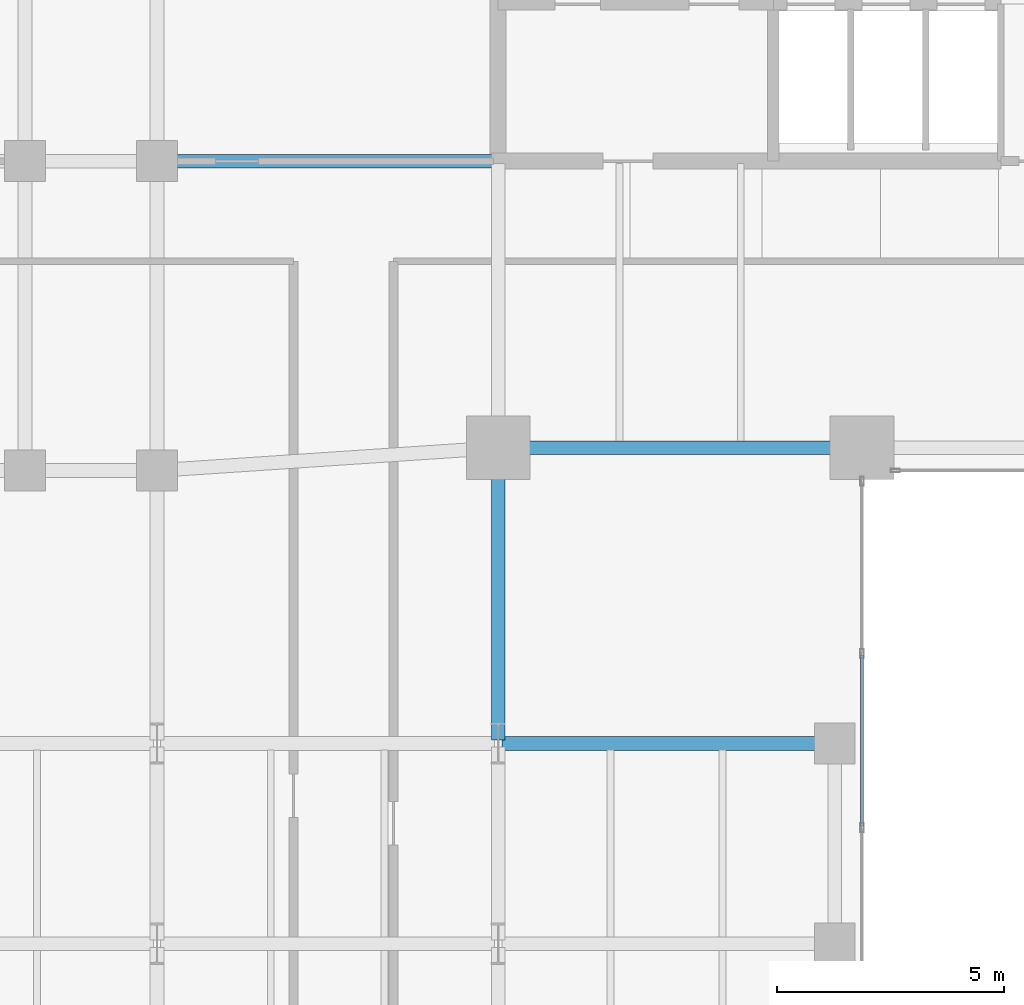
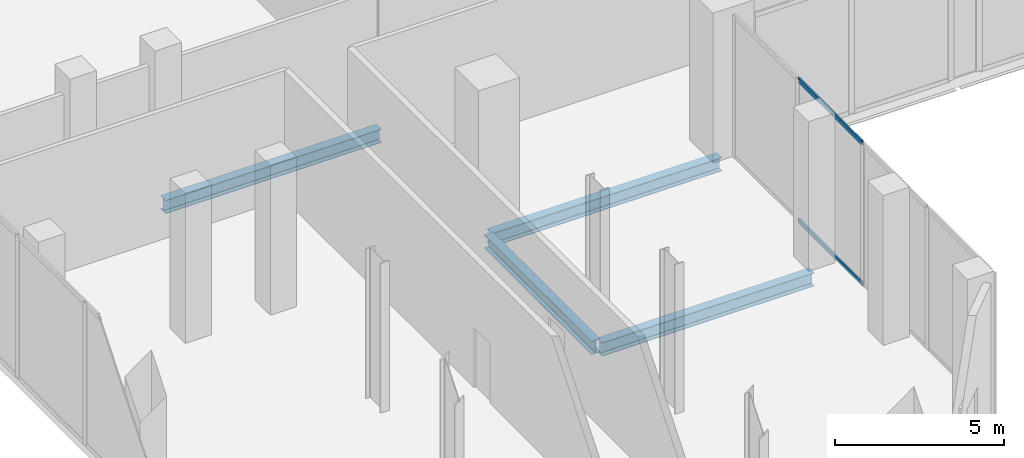
# One storey, part 8 of 24: 4 beams, 2 members, 1 element without a shape of its own.
"""IFC4 building model written with IfcOpenShell, lengths in metres."""

from ifc_helpers import new_model, si_unit, direction, frame, origin, origin_2d, place, context, subcontext, project, spatial, hollow_rectangle, i_section, extrude, material, layer, layer_set, material_profile, profile_set, type_object, element, aggregate, save


model = new_model("IFC4")

# Units and contexts
model_context = context("Model", 3, precision=1e-05, world=origin(), true_north=direction((0.0, 1.0)))
body_context = subcontext(model_context, "Body", "Model", "MODEL_VIEW")
ifc_project = project(units=[si_unit("LENGTHUNIT", "METRE"), si_unit("AREAUNIT", "SQUARE_METRE"), si_unit("VOLUMEUNIT", "CUBIC_METRE"), si_unit("PLANEANGLEUNIT", "RADIAN"), si_unit("MASSUNIT", "GRAM", prefix="KILO")], contexts=[model_context])

# Site, building, storey
site_placement = place(None, origin())
site = spatial("IfcSite", under=ifc_project, at=site_placement, CompositionType="ELEMENT")
building_placement = place(site_placement, origin())
building = spatial("IfcBuilding", under=site, at=building_placement, Name="Catumbela Crestline Tower", CompositionType="ELEMENT")
storey_placement = place(building_placement, frame((0.0, 0.0, 84.6)))
storey = spatial("IfcBuildingStorey", under=building, at=storey_placement, Name="L21", CompositionType="ELEMENT", Elevation=84.6)

# Beams
ifc_material_1 = material(Name="Structural steel S355J2", Category="steel")
ifc_material_profile_1 = material_profile(ifc_material_1, i_section(OverallWidth=0.3, OverallDepth=0.49, WebThickness=0.012, FlangeThickness=0.023, FilletRadius=0.027, at=origin_2d()), Name="HEA 500")
ifc_profile_set_1 = profile_set([ifc_material_profile_1], Name="Structural steel S355J2")
beam_type = type_object("IfcBeamType", Name="BG-HEA500", PredefinedType="BEAM", material=ifc_profile_set_1)
beam_1_placement = place(storey_placement, frame((16.08, 24.5, -0.595), z_axis=(1.0, 0.0, 0.0), x_axis=(0.0, 1.0, 0.0)))
element("IfcBeam", 1, at=beam_1_placement, inside=storey, type_object=beam_type, Name="L21 Beam BM-L21-S04", PredefinedType="BEAM", context=body_context, shape_type="SweptSolid", body=[
    extrude(i_section(OverallWidth=0.3, OverallDepth=0.49, WebThickness=0.012, FlangeThickness=0.023, FilletRadius=0.027, at=origin_2d()), origin(), (0.0, 0.0, 1.0), 7.84),
])
beam_2_placement = place(storey_placement, frame((8.58, 30.8, -0.595), z_axis=(1.0, 0.0, 0.0), x_axis=(0.0, 1.0, 0.0)))
element("IfcBeam", 2, at=beam_2_placement, inside=storey, type_object=beam_type, Name="L21 Beam BM-L21-M09", PredefinedType="BEAM", context=body_context, shape_type="SweptSolid", body=[
    extrude(i_section(OverallWidth=0.3, OverallDepth=0.49, WebThickness=0.012, FlangeThickness=0.023, FilletRadius=0.027, at=origin_2d()), origin(), (0.0, 0.0, 1.0), 7.37),
])
beam_3_placement = place(storey_placement, frame((16.08, 18.0, -0.595), z_axis=(1.0, 0.0, 0.0), x_axis=(0.0, 1.0, 0.0)))
element("IfcBeam", 3, at=beam_3_placement, inside=storey, type_object=beam_type, Name="L21 Beam BM-L21-WEW51", PredefinedType="BEAM", context=body_context, shape_type="SweptSolid", body=[
    extrude(i_section(OverallWidth=0.3, OverallDepth=0.49, WebThickness=0.012, FlangeThickness=0.023, FilletRadius=0.027, at=origin_2d()), origin(), (0.0, 0.0, 1.0), 7.24),
])
beam_4_placement = place(storey_placement, frame((16.0, 18.08, -0.595), z_axis=(0.0, 1.0, 0.0), x_axis=(-1.0, 0.0, 0.0)))
element("IfcBeam", 4, at=beam_4_placement, inside=storey, type_object=beam_type, Name="L21 Beam BM-L21-WNS60", PredefinedType="BEAM", context=body_context, shape_type="SweptSolid", body=[
    extrude(i_section(OverallWidth=0.3, OverallDepth=0.49, WebThickness=0.012, FlangeThickness=0.023, FilletRadius=0.027, at=origin_2d()), origin(), (0.0, 0.0, 1.0), 6.34),
])

# Curtain wall, members
ifc_material_2 = material(Name="Aluminium alloy AW-6060-T66", Category="aluminium")
ifc_layer = layer(ifc_material_2, 0.18, Name="Aluminium alloy AW-6060-T66")
ifc_layer_set = layer_set([ifc_layer], Name="Aluminium alloy AW-6060-T66")
curtain_wall_type = type_object("IfcCurtainWallType", Name="CWU-SKY", PredefinedType="USERDEFINED", material=ifc_layer_set)
curtain_wall_placement = place(storey_placement, origin())
curtain_wall = element("IfcCurtainWall", 5, at=curtain_wall_placement, inside=storey, type_object=curtain_wall_type, Name="L21 Unitised Curtain Wall CW-L21-E2S1", ObjectType="UNITISED", PredefinedType="USERDEFINED")
ifc_material_profile_2 = material_profile(ifc_material_2, hollow_rectangle(XDim=0.06, YDim=0.16, WallThickness=0.004, at=origin_2d()), Name="ALU 160x60x4")
ifc_profile_set_2 = profile_set([ifc_material_profile_2], Name="Aluminium alloy AW-6060-T66")
member_type = type_object("IfcMemberType", Name="TRN-160X60", PredefinedType="USERDEFINED", material=ifc_profile_set_2)
member_1_placement = place(storey_placement, frame((24.0, 16.1825, 0.03), z_axis=(0.0, 1.0, 0.0), x_axis=(-1.0, 0.0, 0.0)))
member_1 = element("IfcMember", 6, at=member_1_placement, type_object=member_type, Name="CWU-SKY transom 3.1", ObjectType="TRANSOM", PredefinedType="USERDEFINED", context=body_context, shape_type="SweptSolid", body=[
    extrude(hollow_rectangle(XDim=0.06, YDim=0.16, WallThickness=0.004, at=origin_2d()), origin(), (0.0, 0.0, 1.0), 3.76),
])
member_2_placement = place(storey_placement, frame((24.0, 16.1825, 5.1), z_axis=(0.0, 1.0, 0.0), x_axis=(-1.0, 0.0, 0.0)))
member_2 = element("IfcMember", 7, at=member_2_placement, type_object=member_type, Name="CWU-SKY transom 3.2", ObjectType="TRANSOM", PredefinedType="USERDEFINED", context=body_context, shape_type="SweptSolid", body=[
    extrude(hollow_rectangle(XDim=0.06, YDim=0.16, WallThickness=0.004, at=origin_2d()), origin(), (0.0, 0.0, 1.0), 3.76),
])
aggregate(curtain_wall, [member_1, member_2])

save(model, "model.ifc")
